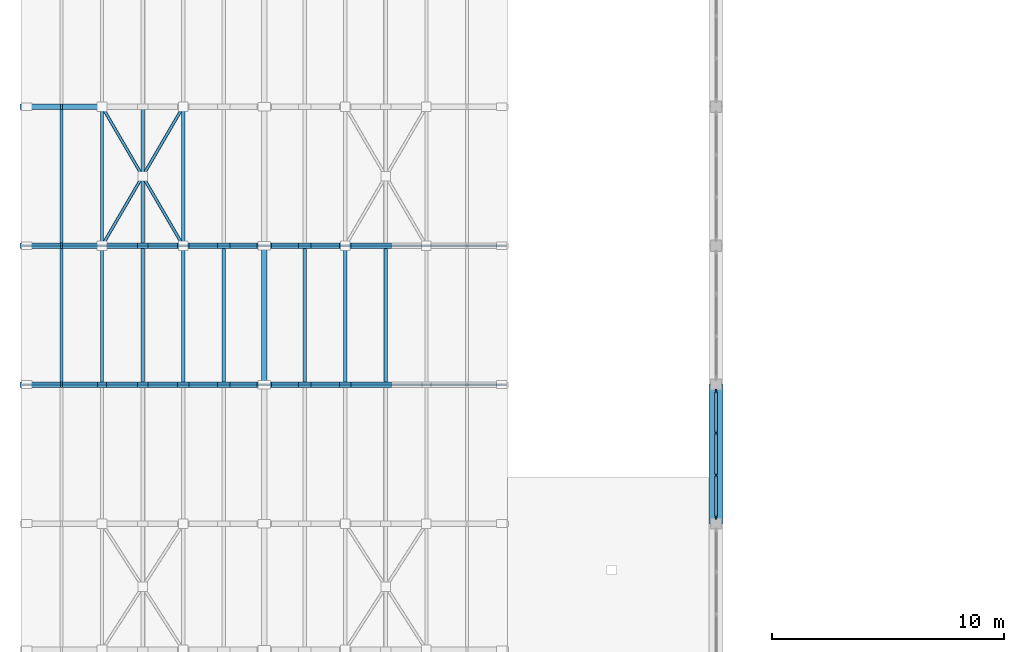
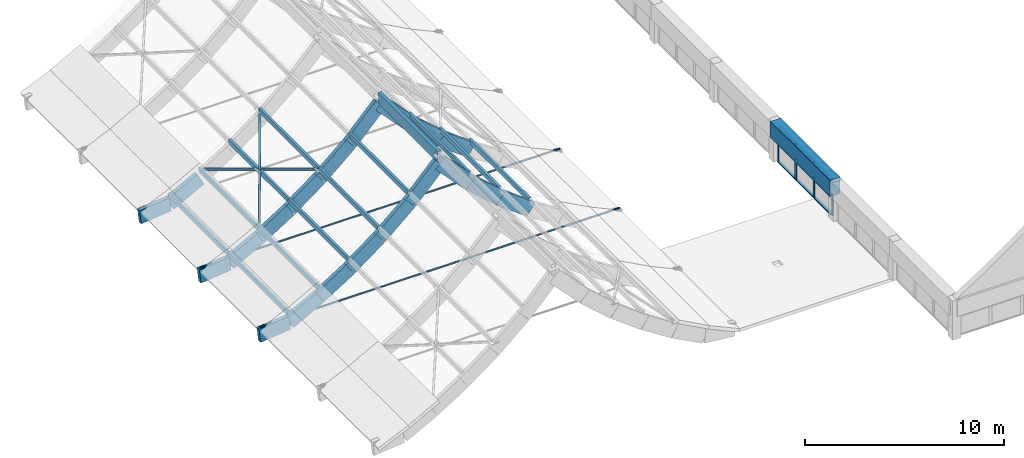
# One storey, part 7 of 45: 50 members, 2 beams, 1 element without a shape of its own.
"""IFC4 building model written with IfcOpenShell, lengths in metres."""

from ifc_helpers import new_model, si_unit, direction, frame, origin, origin_2d, place, context, subcontext, project, spatial, rectangle, hollow_rectangle, hollow_circle, extrude, material, layer, layer_set, material_profile, profile_set, type_object, element, aggregate, save


model = new_model("IFC4")

# Units and contexts
model_context = context("Model", 3, precision=1e-05, world=origin(), true_north=direction((0.0, 1.0)))
body_context = subcontext(model_context, "Body", "Model", "MODEL_VIEW")
ifc_project = project(units=[si_unit("LENGTHUNIT", "METRE"), si_unit("AREAUNIT", "SQUARE_METRE"), si_unit("VOLUMEUNIT", "CUBIC_METRE"), si_unit("PLANEANGLEUNIT", "RADIAN"), si_unit("MASSUNIT", "GRAM", prefix="KILO")], contexts=[model_context])

# Site, building, storey
site_placement = place(None, origin())
site = spatial("IfcSite", under=ifc_project, at=site_placement, CompositionType="ELEMENT")
building_placement = place(site_placement, origin())
building = spatial("IfcBuilding", under=site, at=building_placement, Name="Solvane Community Centre", CompositionType="ELEMENT")
storey_placement = place(building_placement, frame((0.0, 0.0, 13.800048828125)))
storey = spatial("IfcBuildingStorey", under=building, at=storey_placement, Name="L03", CompositionType="ELEMENT", Elevation=13.800048828125)

# Beam
ifc_material_1 = material(Name="Glulam GL32h", Category="wood")
ifc_material_profile_1 = material_profile(ifc_material_1, rectangle(XDim=0.219970703125, YDim=0.679931640625, at=origin_2d()), Name="GL32h 220x680")
ifc_profile_set_1 = profile_set([ifc_material_profile_1], Name="Glulam GL32h")
beam_type_1 = type_object("IfcBeamType", Name="Glulam Sports Vault Ridge 220x680", PredefinedType="USERDEFINED", material=ifc_profile_set_1)
beam_1_placement = place(storey_placement, frame((16.5, 54.0, 6.96044921875), z_axis=(0.0, 1.0, 0.0), x_axis=(-1.0, 0.0, 0.0)))
element("IfcBeam", 1, at=beam_1_placement, inside=storey, type_object=beam_type_1, Name="Beam BM-L03-165_540-165_600", ObjectType="GIRDER", PredefinedType="USERDEFINED", context=body_context, shape_type="SweptSolid", body=[
    extrude(rectangle(XDim=0.219970703125, YDim=0.679931640625, at=origin_2d()), origin(), (0.0, 0.0, 1.0), 6.0),
])

# Curtain wall, members
ifc_material_2 = material(Name="Anodised bronze aluminium AW-6063 T6", Category="aluminium")
ifc_layer = layer(ifc_material_2, 0.179931640625)
ifc_layer_set = layer_set([ifc_layer], Name="Anodised bronze aluminium AW-6063 T6")
curtain_wall_type = type_object("IfcCurtainWallType", Name="Hall Translucent Upper Curtain Wall [55x22dm]", PredefinedType="NOTDEFINED", material=ifc_layer_set)
curtain_wall_placement = place(storey_placement, origin())
curtain_wall = element("IfcCurtainWall", 2, at=curtain_wall_placement, inside=storey, type_object=curtain_wall_type, Name="Curtain Wall CW-L03-360_537-133", PredefinedType="NOTDEFINED")
ifc_material_profile_2 = material_profile(ifc_material_2, rectangle(XDim=0.06005859375, YDim=0.179931640625, at=origin_2d()), Name="CW-M 60x180")
ifc_profile_set_2 = profile_set([ifc_material_profile_2], Name="Anodised bronze aluminium AW-6063 T6")
member_type_1 = type_object("IfcMemberType", Name="Hall Mullion 60x180", PredefinedType="MULLION", material=ifc_profile_set_2)
member_1_placement = place(storey_placement, frame((36.0, 53.715087890625, 0.0), z_axis=(0.0, 0.0, 1.0), x_axis=(1.0, 0.0, 0.0)))
member_1 = element("IfcMember", 3, at=member_1_placement, type_object=member_type_1, Name="CW01-55x22 mullion 1", PredefinedType="MULLION", context=body_context, shape_type="SweptSolid", body=[
    extrude(rectangle(XDim=0.06005859375, YDim=0.179931640625, at=origin_2d()), origin(), (0.0, 0.0, 1.0), 2.179931640625),
])
member_2_placement = place(storey_placement, frame((36.0, 51.9150390625, 0.0), z_axis=(0.0, 0.0, 1.0), x_axis=(1.0, 0.0, 0.0)))
member_2 = element("IfcMember", 4, at=member_2_placement, type_object=member_type_1, Name="CW01-55x22 mullion 2", PredefinedType="MULLION", context=body_context, shape_type="SweptSolid", body=[
    extrude(rectangle(XDim=0.06005859375, YDim=0.179931640625, at=origin_2d()), origin(), (0.0, 0.0, 1.0), 2.179931640625),
])
member_3_placement = place(storey_placement, frame((36.0, 50.0849609375, 0.0), z_axis=(0.0, 0.0, 1.0), x_axis=(1.0, 0.0, 0.0)))
member_3 = element("IfcMember", 5, at=member_3_placement, type_object=member_type_1, Name="CW01-55x22 mullion 3", PredefinedType="MULLION", context=body_context, shape_type="SweptSolid", body=[
    extrude(rectangle(XDim=0.06005859375, YDim=0.179931640625, at=origin_2d()), origin(), (0.0, 0.0, 1.0), 2.179931640625),
])
member_4_placement = place(storey_placement, frame((36.0, 48.284912109375, 0.0), z_axis=(0.0, 0.0, 1.0), x_axis=(1.0, 0.0, 0.0)))
member_4 = element("IfcMember", 6, at=member_4_placement, type_object=member_type_1, Name="CW01-55x22 mullion 4", PredefinedType="MULLION", context=body_context, shape_type="SweptSolid", body=[
    extrude(rectangle(XDim=0.06005859375, YDim=0.179931640625, at=origin_2d()), origin(), (0.0, 0.0, 1.0), 2.179931640625),
])
ifc_material_profile_3 = material_profile(ifc_material_2, rectangle(XDim=0.139892578125, YDim=0.06005859375, at=origin_2d()), Name="CW-T 60x140")
ifc_profile_set_3 = profile_set([ifc_material_profile_3], Name="Anodised bronze aluminium AW-6063 T6")
member_type_2 = type_object("IfcMemberType", Name="Hall Transom 60x140", PredefinedType="USERDEFINED", material=ifc_profile_set_3)
member_5_placement = place(storey_placement, frame((36.0, 53.68505859375, 0.030029296875), z_axis=(0.0, -1.0, 0.0), x_axis=(1.0, 0.0, 0.0)))
member_5 = element("IfcMember", 7, at=member_5_placement, type_object=member_type_2, Name="CW01-55x22 transom 1.1", ObjectType="TRANSOM", PredefinedType="USERDEFINED", context=body_context, shape_type="SweptSolid", body=[
    extrude(rectangle(XDim=0.139892578125, YDim=0.06005859375, at=origin_2d()), origin(), (0.0, 0.0, 1.0), 1.739990234375),
])
member_6_placement = place(storey_placement, frame((36.0, 53.68505859375, 1.198974609375), z_axis=(0.0, -1.0, 0.0), x_axis=(1.0, 0.0, 0.0)))
member_6 = element("IfcMember", 8, at=member_6_placement, type_object=member_type_2, Name="CW01-55x22 transom 1.2", ObjectType="TRANSOM", PredefinedType="USERDEFINED", context=body_context, shape_type="SweptSolid", body=[
    extrude(rectangle(XDim=0.139892578125, YDim=0.06005859375, at=origin_2d()), origin(), (0.0, 0.0, 1.0), 1.739990234375),
])
member_7_placement = place(storey_placement, frame((36.0, 53.68505859375, 2.14990234375), z_axis=(0.0, -1.0, 0.0), x_axis=(1.0, 0.0, 0.0)))
member_7 = element("IfcMember", 9, at=member_7_placement, type_object=member_type_2, Name="CW01-55x22 transom 1.3", ObjectType="TRANSOM", PredefinedType="USERDEFINED", context=body_context, shape_type="SweptSolid", body=[
    extrude(rectangle(XDim=0.139892578125, YDim=0.06005859375, at=origin_2d()), origin(), (0.0, 0.0, 1.0), 1.739990234375),
])
member_8_placement = place(storey_placement, frame((36.0, 51.885009765625, 0.030029296875), z_axis=(0.0, -1.0, 0.0), x_axis=(1.0, 0.0, 0.0)))
member_8 = element("IfcMember", 10, at=member_8_placement, type_object=member_type_2, Name="CW01-55x22 transom 2.1", ObjectType="TRANSOM", PredefinedType="USERDEFINED", context=body_context, shape_type="SweptSolid", body=[
    extrude(rectangle(XDim=0.139892578125, YDim=0.06005859375, at=origin_2d()), origin(), (0.0, 0.0, 1.0), 1.77001953125),
])
member_9_placement = place(storey_placement, frame((36.0, 51.885009765625, 1.198974609375), z_axis=(0.0, -1.0, 0.0), x_axis=(1.0, 0.0, 0.0)))
member_9 = element("IfcMember", 11, at=member_9_placement, type_object=member_type_2, Name="CW01-55x22 transom 2.2", ObjectType="TRANSOM", PredefinedType="USERDEFINED", context=body_context, shape_type="SweptSolid", body=[
    extrude(rectangle(XDim=0.139892578125, YDim=0.06005859375, at=origin_2d()), origin(), (0.0, 0.0, 1.0), 1.77001953125),
])
member_10_placement = place(storey_placement, frame((36.0, 51.885009765625, 2.14990234375), z_axis=(0.0, -1.0, 0.0), x_axis=(1.0, 0.0, 0.0)))
member_10 = element("IfcMember", 12, at=member_10_placement, type_object=member_type_2, Name="CW01-55x22 transom 2.3", ObjectType="TRANSOM", PredefinedType="USERDEFINED", context=body_context, shape_type="SweptSolid", body=[
    extrude(rectangle(XDim=0.139892578125, YDim=0.06005859375, at=origin_2d()), origin(), (0.0, 0.0, 1.0), 1.77001953125),
])
member_11_placement = place(storey_placement, frame((36.0, 50.054931640625, 0.030029296875), z_axis=(0.0, -1.0, 0.0), x_axis=(1.0, 0.0, 0.0)))
member_11 = element("IfcMember", 13, at=member_11_placement, type_object=member_type_2, Name="CW01-55x22 transom 3.1", ObjectType="TRANSOM", PredefinedType="USERDEFINED", context=body_context, shape_type="SweptSolid", body=[
    extrude(rectangle(XDim=0.139892578125, YDim=0.06005859375, at=origin_2d()), origin(), (0.0, 0.0, 1.0), 1.739990234375),
])
member_12_placement = place(storey_placement, frame((36.0, 50.054931640625, 1.198974609375), z_axis=(0.0, -1.0, 0.0), x_axis=(1.0, 0.0, 0.0)))
member_12 = element("IfcMember", 14, at=member_12_placement, type_object=member_type_2, Name="CW01-55x22 transom 3.2", ObjectType="TRANSOM", PredefinedType="USERDEFINED", context=body_context, shape_type="SweptSolid", body=[
    extrude(rectangle(XDim=0.139892578125, YDim=0.06005859375, at=origin_2d()), origin(), (0.0, 0.0, 1.0), 1.739990234375),
])
member_13_placement = place(storey_placement, frame((36.0, 50.054931640625, 2.14990234375), z_axis=(0.0, -1.0, 0.0), x_axis=(1.0, 0.0, 0.0)))
member_13 = element("IfcMember", 15, at=member_13_placement, type_object=member_type_2, Name="CW01-55x22 transom 3.3", ObjectType="TRANSOM", PredefinedType="USERDEFINED", context=body_context, shape_type="SweptSolid", body=[
    extrude(rectangle(XDim=0.139892578125, YDim=0.06005859375, at=origin_2d()), origin(), (0.0, 0.0, 1.0), 1.739990234375),
])
aggregate(curtain_wall, [member_1, member_2, member_3, member_4, member_5, member_6, member_7, member_8, member_9, member_10, member_11, member_12, member_13])

# Beam
ifc_material_3 = material(Name="Concrete C35/45", Category="concrete")
ifc_material_profile_4 = material_profile(ifc_material_3, rectangle(XDim=0.60009765625, YDim=1.0, at=origin_2d()), Name="RC 600x1000")
ifc_profile_set_4 = profile_set([ifc_material_profile_4], Name="Concrete C35/45")
beam_type_2 = type_object("IfcBeamType", Name="RC Vault Thrust Ring Girder 600x1000", PredefinedType="USERDEFINED", material=ifc_profile_set_4)
beam_2_placement = place(storey_placement, frame((36.0, 48.0, 1.89990234375), z_axis=(0.0, 1.0, 0.0), x_axis=(-1.0, 0.0, 0.0)))
element("IfcBeam", 16, at=beam_2_placement, inside=storey, type_object=beam_type_2, Name="Beam BM-L03-360_480-360_540", ObjectType="GIRDER", PredefinedType="USERDEFINED", context=body_context, shape_type="SweptSolid", body=[
    extrude(rectangle(XDim=0.60009765625, YDim=1.0, at=origin_2d()), origin(), (0.0, 0.0, 1.0), 6.0),
])

# Members
ifc_material_profile_5 = material_profile(ifc_material_1, rectangle(XDim=0.239990234375, YDim=0.840087890625, at=origin_2d()), Name="GL32h 240x840")
ifc_profile_set_5 = profile_set([ifc_material_profile_5], Name="Glulam GL32h")
member_type_3 = type_object("IfcMemberType", Name="Sports Hall Concave Vault Arch Rib 240x840", PredefinedType="USERDEFINED", material=ifc_profile_set_5)
member_14_placement = place(storey_placement, frame((6.0, 54.0, -0.300048828125), z_axis=(0.994382391081, 0.0, 0.105847344363), x_axis=(0.0, 1.0, 0.0)))
element("IfcMember", 17, at=member_14_placement, inside=storey, type_object=member_type_3, Name="Member MEM-L03-0240", ObjectType="ARCH_SEGMENT", PredefinedType="USERDEFINED", context=body_context, shape_type="SweptSolid", body=[
    extrude(rectangle(XDim=0.239990234375, YDim=0.840087890625, at=origin_2d()), origin(), (0.0, 0.0, 1.0), 1.759765625),
])
member_15_placement = place(storey_placement, frame((7.75, 54.0, -0.11376953125), z_axis=(0.881019095166, 0.0, 0.473080705538), x_axis=(0.0, 1.0, 0.0)))
element("IfcMember", 18, at=member_15_placement, inside=storey, type_object=member_type_3, Name="Member MEM-L03-0241", ObjectType="ARCH_SEGMENT", PredefinedType="USERDEFINED", context=body_context, shape_type="SweptSolid", body=[
    extrude(rectangle(XDim=0.239990234375, YDim=0.840087890625, at=origin_2d()), origin(), (0.0, 0.0, 1.0), 1.986328125),
])
member_16_placement = place(storey_placement, frame((9.5, 54.0, 0.825927734375), z_axis=(0.844804868762, 0.0, 0.535074512302), x_axis=(0.0, 1.0, 0.0)))
element("IfcMember", 19, at=member_16_placement, inside=storey, type_object=member_type_3, Name="Member MEM-L03-0242", ObjectType="ARCH_SEGMENT", PredefinedType="USERDEFINED", context=body_context, shape_type="SweptSolid", body=[
    extrude(rectangle(XDim=0.239990234375, YDim=0.840087890625, at=origin_2d()), origin(), (0.0, 0.0, 1.0), 2.071533203125),
])
member_17_placement = place(storey_placement, frame((11.25, 54.0, 1.934326171875), z_axis=(0.802143469144, 0.0, 0.59713135482), x_axis=(0.0, 1.0, 0.0)))
element("IfcMember", 20, at=member_17_placement, inside=storey, type_object=member_type_3, Name="Member MEM-L03-0243", ObjectType="ARCH_SEGMENT", PredefinedType="USERDEFINED", context=body_context, shape_type="SweptSolid", body=[
    extrude(rectangle(XDim=0.239990234375, YDim=0.840087890625, at=origin_2d()), origin(), (0.0, 0.0, 1.0), 2.181640625),
])
member_18_placement = place(storey_placement, frame((13.0, 54.0, 3.237060546875), z_axis=(0.752160526531, 0.0, 0.658979925588), x_axis=(0.0, 1.0, 0.0)))
element("IfcMember", 21, at=member_18_placement, inside=storey, type_object=member_type_3, Name="Member MEM-L03-0244", ObjectType="ARCH_SEGMENT", PredefinedType="USERDEFINED", context=body_context, shape_type="SweptSolid", body=[
    extrude(rectangle(XDim=0.239990234375, YDim=0.840087890625, at=origin_2d()), origin(), (0.0, 0.0, 1.0), 2.32666015625),
])
for number, where, z_axis, x_axis, name in (
    (22, (14.75, 54.0, 4.770263671875), (0.68617646553, 0.0, 0.727435122986), (0.0, 1.0, 0.0), "Member MEM-L03-0245"),
    (23, (16.5, 54.0, 6.62548828125), (0.68617646553, 0.0, -0.727435122986), (0.0, 1.0, 0.0), "Member MEM-L03-0246"),
):
    element("IfcMember", number, at=place(storey_placement, frame(where, z_axis=z_axis, x_axis=x_axis)), inside=storey, type_object=member_type_3, Name=name, ObjectType="ARCH_SEGMENT", PredefinedType="USERDEFINED", context=body_context, shape_type="SweptSolid", body=[
        extrude(rectangle(XDim=0.239990234375, YDim=0.840087890625, at=origin_2d()), origin(), (0.0, 0.0, 1.0), 2.55029296875),
    ])
member_19_placement = place(storey_placement, frame((18.25, 54.0, 4.770263671875), z_axis=(0.752160526531, 0.0, -0.658979925588), x_axis=(0.0, 1.0, 0.0)))
element("IfcMember", 24, at=member_19_placement, inside=storey, type_object=member_type_3, Name="Member MEM-L03-0247", ObjectType="ARCH_SEGMENT", PredefinedType="USERDEFINED", context=body_context, shape_type="SweptSolid", body=[
    extrude(rectangle(XDim=0.239990234375, YDim=0.840087890625, at=origin_2d()), origin(), (0.0, 0.0, 1.0), 2.32666015625),
])
member_20_placement = place(storey_placement, frame((20.0, 54.0, 3.237060546875), z_axis=(0.802143469144, 0.0, -0.59713135482), x_axis=(0.0, 1.0, 0.0)))
element("IfcMember", 25, at=member_20_placement, inside=storey, type_object=member_type_3, Name="Member MEM-L03-0248", ObjectType="ARCH_SEGMENT", PredefinedType="USERDEFINED", context=body_context, shape_type="SweptSolid", body=[
    extrude(rectangle(XDim=0.239990234375, YDim=0.840087890625, at=origin_2d()), origin(), (0.0, 0.0, 1.0), 2.181640625),
])
member_21_placement = place(storey_placement, frame((6.0, 60.0, -0.300048828125), z_axis=(0.994382391081, 0.0, 0.105847344363), x_axis=(0.0, 1.0, 0.0)))
element("IfcMember", 26, at=member_21_placement, inside=storey, type_object=member_type_3, Name="Member MEM-L03-0253", ObjectType="ARCH_SEGMENT", PredefinedType="USERDEFINED", context=body_context, shape_type="SweptSolid", body=[
    extrude(rectangle(XDim=0.239990234375, YDim=0.840087890625, at=origin_2d()), origin(), (0.0, 0.0, 1.0), 1.759765625),
])
member_22_placement = place(storey_placement, frame((7.75, 60.0, -0.11376953125), z_axis=(0.881019095166, 0.0, 0.473080705538), x_axis=(0.0, 1.0, 0.0)))
element("IfcMember", 27, at=member_22_placement, inside=storey, type_object=member_type_3, Name="Member MEM-L03-0254", ObjectType="ARCH_SEGMENT", PredefinedType="USERDEFINED", context=body_context, shape_type="SweptSolid", body=[
    extrude(rectangle(XDim=0.239990234375, YDim=0.840087890625, at=origin_2d()), origin(), (0.0, 0.0, 1.0), 1.986328125),
])
member_23_placement = place(storey_placement, frame((9.5, 60.0, 0.825927734375), z_axis=(0.844804868762, 0.0, 0.535074512302), x_axis=(0.0, 1.0, 0.0)))
element("IfcMember", 28, at=member_23_placement, inside=storey, type_object=member_type_3, Name="Member MEM-L03-0255", ObjectType="ARCH_SEGMENT", PredefinedType="USERDEFINED", context=body_context, shape_type="SweptSolid", body=[
    extrude(rectangle(XDim=0.239990234375, YDim=0.840087890625, at=origin_2d()), origin(), (0.0, 0.0, 1.0), 2.071533203125),
])
member_24_placement = place(storey_placement, frame((11.25, 60.0, 1.934326171875), z_axis=(0.802143469144, 0.0, 0.59713135482), x_axis=(0.0, 1.0, 0.0)))
element("IfcMember", 29, at=member_24_placement, inside=storey, type_object=member_type_3, Name="Member MEM-L03-0256", ObjectType="ARCH_SEGMENT", PredefinedType="USERDEFINED", context=body_context, shape_type="SweptSolid", body=[
    extrude(rectangle(XDim=0.239990234375, YDim=0.840087890625, at=origin_2d()), origin(), (0.0, 0.0, 1.0), 2.181640625),
])
member_25_placement = place(storey_placement, frame((13.0, 60.0, 3.237060546875), z_axis=(0.752160526531, 0.0, 0.658979925588), x_axis=(0.0, 1.0, 0.0)))
element("IfcMember", 30, at=member_25_placement, inside=storey, type_object=member_type_3, Name="Member MEM-L03-0257", ObjectType="ARCH_SEGMENT", PredefinedType="USERDEFINED", context=body_context, shape_type="SweptSolid", body=[
    extrude(rectangle(XDim=0.239990234375, YDim=0.840087890625, at=origin_2d()), origin(), (0.0, 0.0, 1.0), 2.32666015625),
])
for number, where, z_axis, x_axis, name in (
    (31, (14.75, 60.0, 4.770263671875), (0.68617646553, 0.0, 0.727435122986), (0.0, 1.0, 0.0), "Member MEM-L03-0258"),
    (32, (16.5, 60.0, 6.62548828125), (0.68617646553, 0.0, -0.727435122986), (0.0, 1.0, 0.0), "Member MEM-L03-0259"),
):
    element("IfcMember", number, at=place(storey_placement, frame(where, z_axis=z_axis, x_axis=x_axis)), inside=storey, type_object=member_type_3, Name=name, ObjectType="ARCH_SEGMENT", PredefinedType="USERDEFINED", context=body_context, shape_type="SweptSolid", body=[
        extrude(rectangle(XDim=0.239990234375, YDim=0.840087890625, at=origin_2d()), origin(), (0.0, 0.0, 1.0), 2.55029296875),
    ])
member_26_placement = place(storey_placement, frame((18.25, 60.0, 4.770263671875), z_axis=(0.752160526531, 0.0, -0.658979925588), x_axis=(0.0, 1.0, 0.0)))
element("IfcMember", 33, at=member_26_placement, inside=storey, type_object=member_type_3, Name="Member MEM-L03-0260", ObjectType="ARCH_SEGMENT", PredefinedType="USERDEFINED", context=body_context, shape_type="SweptSolid", body=[
    extrude(rectangle(XDim=0.239990234375, YDim=0.840087890625, at=origin_2d()), origin(), (0.0, 0.0, 1.0), 2.32666015625),
])
member_27_placement = place(storey_placement, frame((20.0, 60.0, 3.237060546875), z_axis=(0.802143469144, 0.0, -0.59713135482), x_axis=(0.0, 1.0, 0.0)))
element("IfcMember", 34, at=member_27_placement, inside=storey, type_object=member_type_3, Name="Member MEM-L03-0261", ObjectType="ARCH_SEGMENT", PredefinedType="USERDEFINED", context=body_context, shape_type="SweptSolid", body=[
    extrude(rectangle(XDim=0.239990234375, YDim=0.840087890625, at=origin_2d()), origin(), (0.0, 0.0, 1.0), 2.181640625),
])
member_28_placement = place(storey_placement, frame((6.0, 66.0, -0.300048828125), z_axis=(0.994382391081, 0.0, 0.105847344363), x_axis=(0.0, 1.0, 0.0)))
element("IfcMember", 35, at=member_28_placement, inside=storey, type_object=member_type_3, Name="Member MEM-L03-0266", ObjectType="ARCH_SEGMENT", PredefinedType="USERDEFINED", context=body_context, shape_type="SweptSolid", body=[
    extrude(rectangle(XDim=0.239990234375, YDim=0.840087890625, at=origin_2d()), origin(), (0.0, 0.0, 1.0), 1.759765625),
])
member_29_placement = place(storey_placement, frame((7.75, 66.0, -0.11376953125), z_axis=(0.881019095166, 0.0, 0.473080705538), x_axis=(0.0, 1.0, 0.0)))
element("IfcMember", 36, at=member_29_placement, inside=storey, type_object=member_type_3, Name="Member MEM-L03-0267", ObjectType="ARCH_SEGMENT", PredefinedType="USERDEFINED", context=body_context, shape_type="SweptSolid", body=[
    extrude(rectangle(XDim=0.239990234375, YDim=0.840087890625, at=origin_2d()), origin(), (0.0, 0.0, 1.0), 1.986328125),
])
ifc_material_4 = material(Name="Glulam GL28h", Category="wood")
ifc_material_profile_6 = material_profile(ifc_material_4, rectangle(XDim=0.139892578125, YDim=0.280029296875, at=origin_2d()), Name="GL28h 140x280")
ifc_profile_set_6 = profile_set([ifc_material_profile_6], Name="Glulam GL28h")
member_type_4 = type_object("IfcMemberType", Name="Sports Hall Vault Purlin 140x280", PredefinedType="PURLIN", material=ifc_profile_set_6)
for number, where, z_axis, x_axis, name in (
    (37, (7.75, 54.0, 0.421142578125), (0.0, 1.0, 0.0), (-1.0, 0.0, 0.0), "Member MEM-L03-0328"),
    (38, (9.5, 54.0, 1.36083984375), (0.0, 1.0, 0.0), (-1.0, 0.0, 0.0), "Member MEM-L03-0329"),
    (39, (11.25, 54.0, 2.46923828125), (0.0, 1.0, 0.0), (-1.0, 0.0, 0.0), "Member MEM-L03-0330"),
    (40, (13.0, 54.0, 3.77197265625), (0.0, 1.0, 0.0), (-1.0, 0.0, 0.0), "Member MEM-L03-0331"),
    (41, (14.75, 54.0, 5.305419921875), (0.0, 1.0, 0.0), (-1.0, 0.0, 0.0), "Member MEM-L03-0332"),
    (42, (18.25, 54.0, 5.305419921875), (0.0, 1.0, 0.0), (-1.0, 0.0, 0.0), "Member MEM-L03-0333"),
    (43, (20.0, 54.0, 3.77197265625), (0.0, 1.0, 0.0), (-1.0, 0.0, 0.0), "Member MEM-L03-0334"),
    (44, (21.75, 54.0, 2.46923828125), (0.0, 1.0, 0.0), (-1.0, 0.0, 0.0), "Member MEM-L03-0335"),
    (45, (7.75, 60.0, 0.421142578125), (0.0, 1.0, 0.0), (-1.0, 0.0, 0.0), "Member MEM-L03-0338"),
    (46, (9.5, 60.0, 1.36083984375), (0.0, 1.0, 0.0), (-1.0, 0.0, 0.0), "Member MEM-L03-0339"),
    (47, (11.25, 60.0, 2.46923828125), (0.0, 1.0, 0.0), (-1.0, 0.0, 0.0), "Member MEM-L03-0340"),
    (48, (13.0, 60.0, 3.77197265625), (0.0, 1.0, 0.0), (-1.0, 0.0, 0.0), "Member MEM-L03-0341"),
):
    element("IfcMember", number, at=place(storey_placement, frame(where, z_axis=z_axis, x_axis=x_axis)), inside=storey, type_object=member_type_4, Name=name, PredefinedType="PURLIN", context=body_context, shape_type="SweptSolid", body=[
        extrude(rectangle(XDim=0.139892578125, YDim=0.280029296875, at=origin_2d()), origin(), (0.0, 0.0, 1.0), 6.0),
    ])
ifc_material_5 = material(Name="Steel ASTM A572 Grade 50", Category="steel")
ifc_material_profile_7 = material_profile(ifc_material_5, hollow_circle(Radius=0.05712890625, WallThickness=0.008056640625, at=origin_2d()), Name="CHS 114.3x8.0")
ifc_profile_set_7 = profile_set([ifc_material_profile_7], Name="Steel ASTM A572 Grade 50")
member_type_5 = type_object("IfcMemberType", Name="Sports Vault Tension Tie Rod CHS114", PredefinedType="CHORD", material=ifc_profile_set_7)
for number, where, z_axis, x_axis, name in (
    (49, (6.0400390625, 54.0, 0.14990234375), (1.0, 0.0, 0.0), (0.0, 1.0, 0.0), "Member MEM-L03-0252"),
    (50, (6.0400390625, 60.0, 0.14990234375), (1.0, 0.0, 0.0), (0.0, 1.0, 0.0), "Member MEM-L03-0265"),
):
    element("IfcMember", number, at=place(storey_placement, frame(where, z_axis=z_axis, x_axis=x_axis)), inside=storey, type_object=member_type_5, Name=name, PredefinedType="CHORD", context=body_context, shape_type="SweptSolid", body=[
        extrude(hollow_circle(Radius=0.05712890625, WallThickness=0.008056640625, at=origin_2d()), origin(), (0.0, 0.0, 1.0), 20.919921875),
    ])
ifc_material_profile_8 = material_profile(ifc_material_5, hollow_rectangle(XDim=0.126953125, YDim=0.126953125, WallThickness=0.008056640625, InnerFilletRadius=0.008056640625, OuterFilletRadius=0.01611328125, at=origin_2d()), Name="HSS 127x127x8.0")
ifc_profile_set_8 = profile_set([ifc_material_profile_8], Name="Steel ASTM A572 Grade 50")
member_type_6 = type_object("IfcMemberType", Name="Sports Vault Wind X-Brace HSS127", PredefinedType="BRACE", material=ifc_profile_set_8)
member_30_placement = place(storey_placement, frame((9.5, 60.0, 1.36083984375), z_axis=(0.476009607783, 0.816016470485, 0.327920681255), x_axis=(-0.863778900898, 0.503871025524, 0.0)))
element("IfcMember", 51, at=member_30_placement, inside=storey, type_object=member_type_6, Name="Member MEM-L03-0348", PredefinedType="BRACE", context=body_context, shape_type="SweptSolid", body=[
    extrude(hollow_rectangle(XDim=0.126953125, YDim=0.126953125, WallThickness=0.008056640625, InnerFilletRadius=0.008056640625, OuterFilletRadius=0.01611328125, at=origin_2d()), origin(), (0.0, 0.0, 1.0), 7.352783203125),
])
for number, where, z_axis, x_axis, name in (
    (52, (13.0, 60.0, 3.77197265625), (-0.475993352074, 0.816017696133, -0.327941227021), (-0.863786719375, -0.503857622183, 0.0), "Member MEM-L03-0349"),
    (53, (11.2119140625, 63.065185546875, 2.540283203125), (-0.475993352074, 0.816017696133, -0.327941227021), (-0.863786719375, -0.503857622183, 0.0), "Member MEM-XBR-L03-0009"),
):
    element("IfcMember", number, at=place(storey_placement, frame(where, z_axis=z_axis, x_axis=x_axis)), inside=storey, type_object=member_type_6, Name=name, PredefinedType="BRACE", context=body_context, shape_type="SweptSolid", body=[
        extrude(hollow_rectangle(XDim=0.126953125, YDim=0.126953125, WallThickness=0.008056640625, InnerFilletRadius=0.008056640625, OuterFilletRadius=0.01611328125, at=origin_2d()), origin(), (0.0, 0.0, 1.0), 3.596435546875),
    ])

save(model, "model.ifc")
